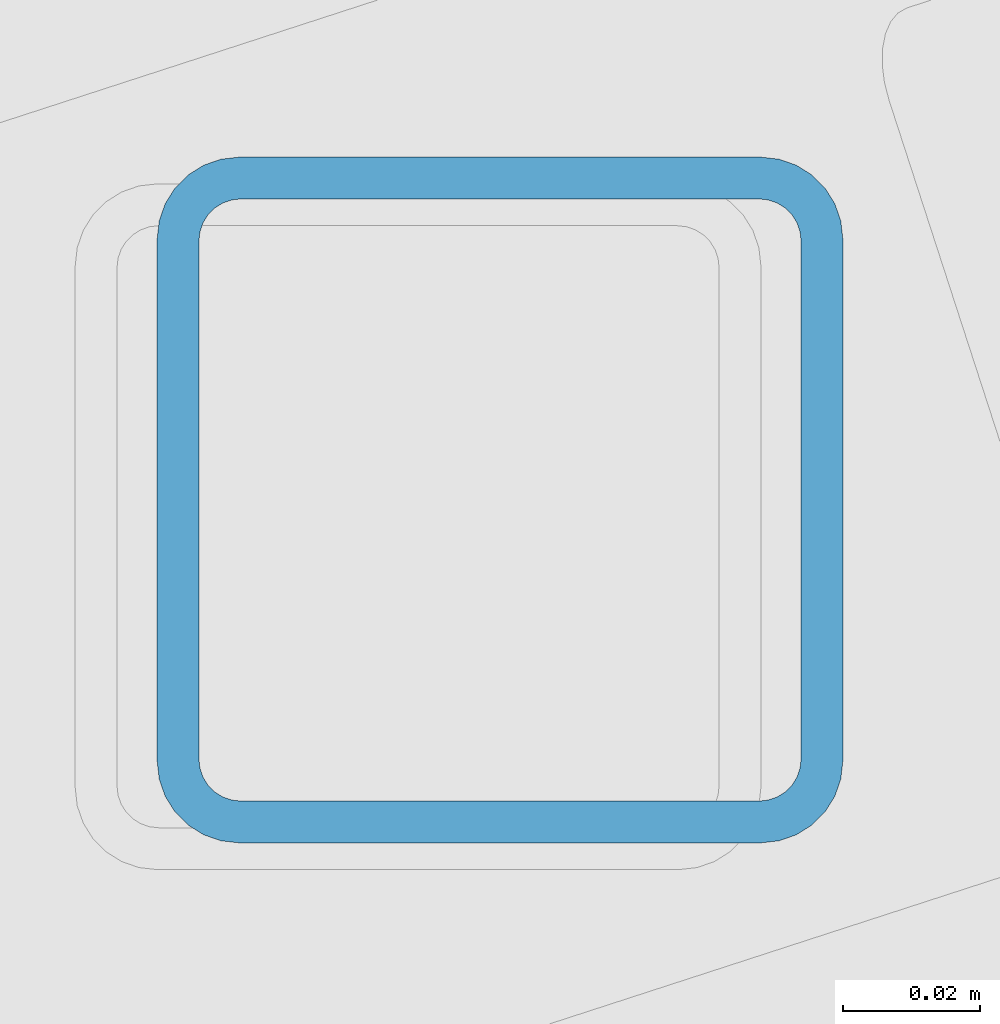
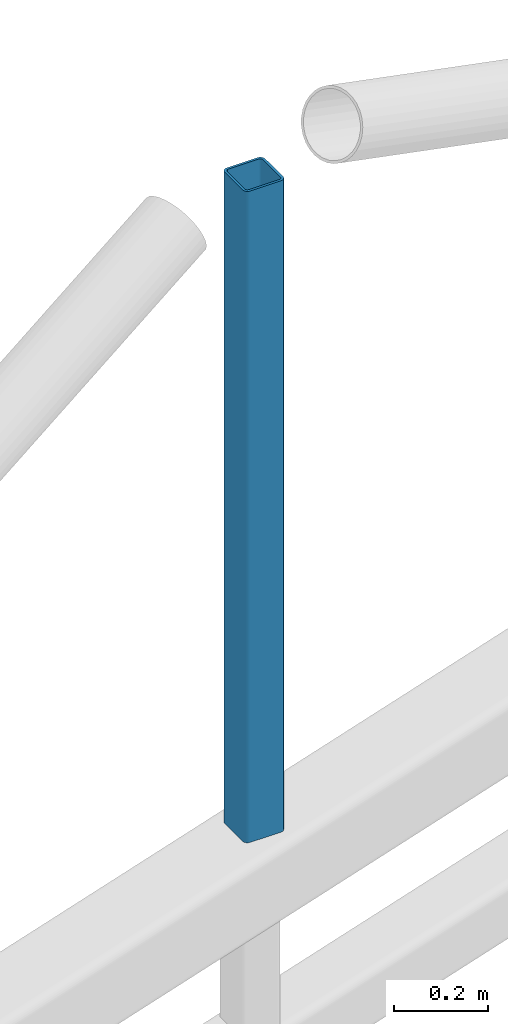
# One storey, part 13 of 81: 1 member.
"""IFC4 building model written with IfcOpenShell, lengths in metres."""

from ifc_helpers import new_model, si_unit, direction, frame, origin, origin_2d, place, context, subcontext, project, spatial, hollow_rectangle, extrude, material, material_profile, profile_set, type_object, element, save


model = new_model("IFC4")

# Units and contexts
model_context = context("Model", 3, precision=1e-05, world=origin(), true_north=direction((0.0, 1.0)))
body_context = subcontext(model_context, "Body", "Model", "MODEL_VIEW")
ifc_project = project(units=[si_unit("LENGTHUNIT", "METRE"), si_unit("AREAUNIT", "SQUARE_METRE"), si_unit("VOLUMEUNIT", "CUBIC_METRE"), si_unit("PLANEANGLEUNIT", "RADIAN"), si_unit("MASSUNIT", "GRAM", prefix="KILO")], contexts=[model_context])

# Site, building, storey
site_placement = place(None, origin())
site = spatial("IfcSite", under=ifc_project, at=site_placement, CompositionType="ELEMENT")
building_placement = place(site_placement, origin())
building = spatial("IfcBuilding", under=site, at=building_placement, Name="Tuart Plaza Theatre", CompositionType="ELEMENT")
storey_placement = place(building_placement, frame((0.0, 0.0, 17.5)))
storey = spatial("IfcBuildingStorey", under=building, at=storey_placement, Name="L04", CompositionType="ELEMENT", Elevation=17.5)

# Member
ifc_material = material(Name="Steel Grade C350L0", Category="steel")
ifc_material_profile = material_profile(ifc_material, hollow_rectangle(XDim=0.10009765625, YDim=0.10009765625, WallThickness=0.006103515625, InnerFilletRadius=0.006103515625, OuterFilletRadius=0.011962890625, at=origin_2d()), Name="100x100x6 SHS")
ifc_profile_set = profile_set([ifc_material_profile], Name="Steel Grade C350L0")
member_type = type_object("IfcMemberType", Name="MEMBER Post 100x100x6 SHS", PredefinedType="POST", material=ifc_profile_set)
member_placement = place(storey_placement, frame((61.00927734375, 55.040283203125, 3.099365234375), z_axis=(0.0, 0.0, 1.0), x_axis=(1.0, 0.0, 0.0)))
element("IfcMember", 1, at=member_placement, inside=storey, type_object=member_type, Name="PO11", PredefinedType="POST", context=body_context, shape_type="SweptSolid", body=[
    extrude(hollow_rectangle(XDim=0.10009765625, YDim=0.10009765625, WallThickness=0.006103515625, InnerFilletRadius=0.006103515625, OuterFilletRadius=0.011962890625, at=origin_2d()), origin(), (0.0, 0.0, 1.0), 1.7001953125),
])

save(model, "model.ifc")
